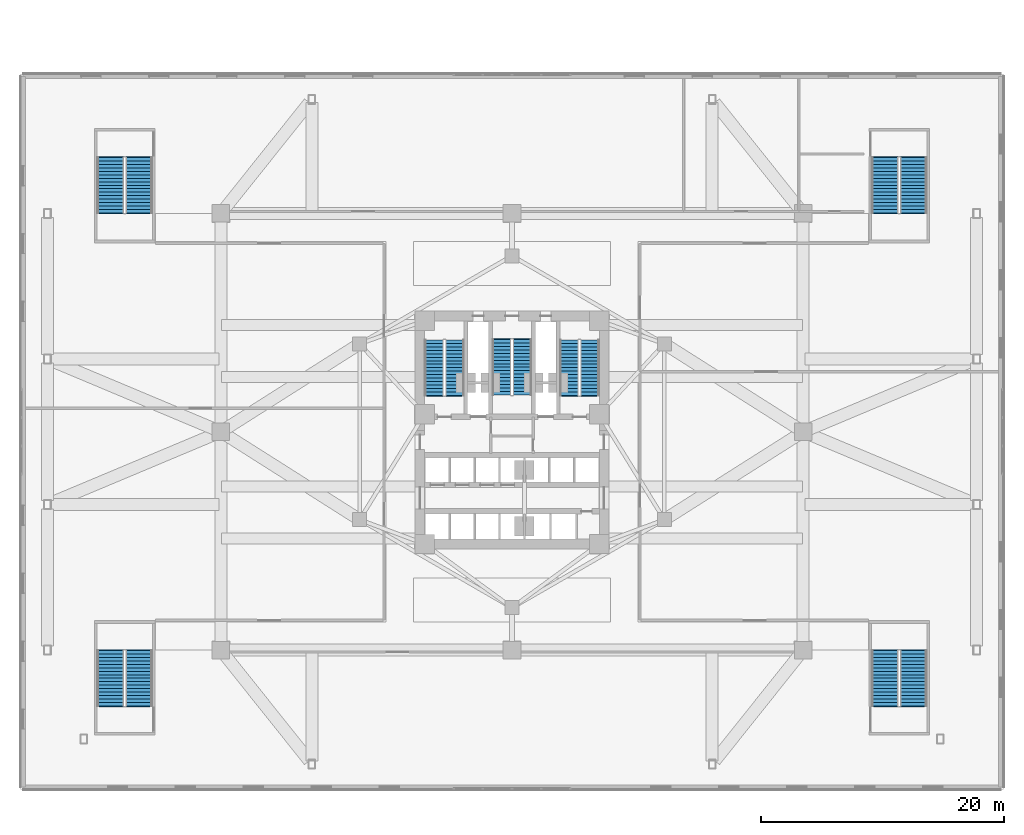
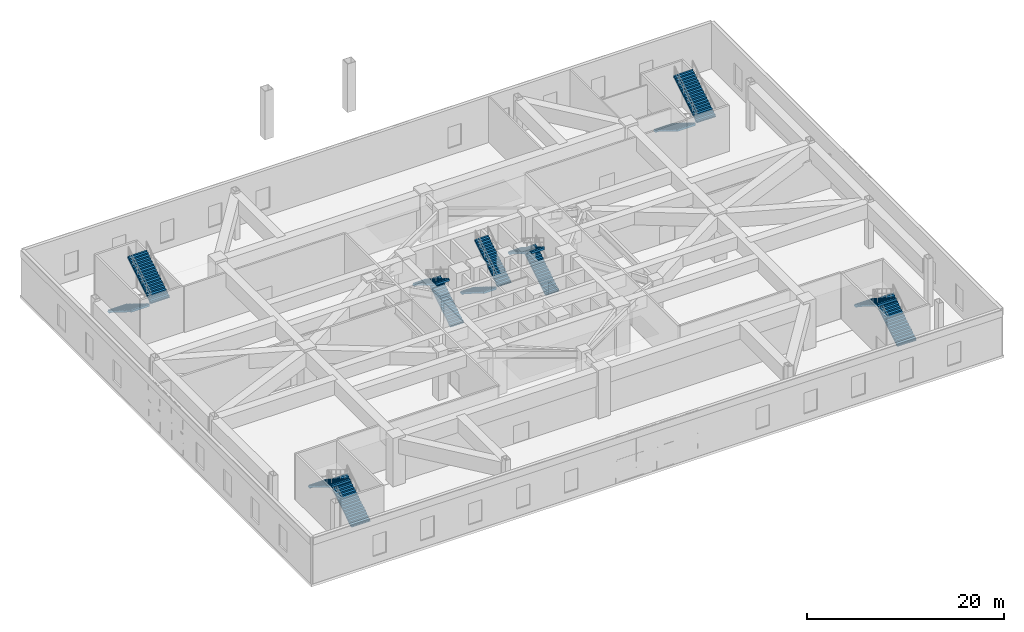
# One storey, part 16 of 24: 14 stair flights, 7 elements without a shape of their own.
"""IFC4 building model written with IfcOpenShell, lengths in metres."""

import ifcopenshell
import ifcopenshell.guid

model = None  # the IFC model being written
_history = None  # IfcOwnerHistory: only IFC2X3 demands one
_inside = {}  # id of a spatial element -> (the spatial element, [elements in it])
_under = {}  # id of a project, library or spatial element -> (it, [spatial elements below it])
_declared = {}  # id of a project -> (the project, [libraries it declares])
_typed = {}  # id of a type object -> (the type object, [elements of that type])
_made_of = {}  # id of a material, layer set ... -> (it, [elements and type objects made of it])


def new_model(schema):
    """Start an empty IFC model of exactly this schema.

    Asked for "IFC4X3", IfcOpenShell would pick the latest addendum, in which some entities
    have other attributes; the version numbers below select the first issue.
    IFC2X3 requires an IfcOwnerHistory on every rooted entity: one is made here for all.
    """
    global model, _history
    if schema == "IFC4X3":
        model = ifcopenshell.file(schema_version=(4, 3, 0, 0))
    else:
        model = ifcopenshell.file(schema=schema)
    _inside.clear()
    _under.clear()
    _declared.clear()
    _typed.clear()
    _made_of.clear()
    _history = None
    if model.schema == "IFC2X3":
        org = make("IfcOrganization", Name="unknown")
        user = make(
            "IfcPersonAndOrganization",
            ThePerson=make("IfcPerson", FamilyName="unknown"),
            TheOrganization=org,
        )
        app = make(
            "IfcApplication",
            ApplicationDeveloper=org,
            Version="unknown",
            ApplicationFullName="unknown",
            ApplicationIdentifier="unknown",
        )
        _history = make(
            "IfcOwnerHistory",
            OwningUser=user,
            OwningApplication=app,
            ChangeAction="ADDED",
            CreationDate=0,
        )
    return model


def make(cls, **values):
    """One entity of the class cls with the attributes given. An attribute that is None is left unset."""
    return model.create_entity(
        cls, **{name: value for name, value in values.items() if value is not None}
    )


def rooted(cls, **values):
    """An entity with a GlobalId (a new one), such as an element, a storey or a relation."""
    return make(cls, GlobalId=ifcopenshell.guid.new(), OwnerHistory=_history, **values)


def si_unit(unit_type, name, prefix=None):
    """IfcSIUnit, for example si_unit("LENGTHUNIT", "METRE", prefix="MILLI")."""
    return make("IfcSIUnit", UnitType=unit_type, Prefix=prefix, Name=name)


def assignment(units):
    """IfcUnitAssignment: the units of a project."""
    return None if units is None else make("IfcUnitAssignment", Units=units)


def point(xyz):
    """IfcCartesianPoint."""
    return None if xyz is None else make("IfcCartesianPoint", Coordinates=xyz)


def direction(xyz):
    """IfcDirection."""
    return None if xyz is None else make("IfcDirection", DirectionRatios=xyz)


def frame(location, z_axis=None, x_axis=None):
    """IfcAxis2Placement3D, a coordinate frame: its origin and axes. An axis left out is left unset."""
    return make(
        "IfcAxis2Placement3D",
        Location=point(location),
        Axis=direction(z_axis),
        RefDirection=direction(x_axis),
    )


def origin():
    """The frame at (0, 0, 0) with its axes left unset."""
    return frame((0.0, 0.0, 0.0))


def place(relative_to, where):
    """IfcLocalPlacement: puts the frame where relative to a parent placement (None: the world)."""
    return make(
        "IfcLocalPlacement", PlacementRelTo=relative_to, RelativePlacement=where
    )


def context(
    kind, dimensions, precision=None, world=None, true_north=None, identifier=None
):
    """IfcGeometricRepresentationContext, for example the 3D "Model" context."""
    return make(
        "IfcGeometricRepresentationContext",
        ContextIdentifier=identifier,
        ContextType=kind,
        CoordinateSpaceDimension=dimensions,
        Precision=precision,
        WorldCoordinateSystem=world,
        TrueNorth=true_north,
    )


def subcontext(parent, identifier, kind, view, scale=None):
    """IfcGeometricRepresentationSubContext, for example "Body" below "Model"."""
    return make(
        "IfcGeometricRepresentationSubContext",
        ContextIdentifier=identifier,
        ContextType=kind,
        ParentContext=parent,
        TargetScale=scale,
        TargetView=view,
    )


def project(units=None, contexts=None):
    """IfcProject with its units and contexts."""
    return rooted(
        "IfcProject",
        Name="project",
        RepresentationContexts=contexts,
        UnitsInContext=assignment(units),
    )


def spatial(cls, under=None, at=None, **own):
    """A site, building, storey or space (cls), placed at a placement, below another one or the project."""
    s = rooted(cls, ObjectPlacement=at, **own)
    if under is not None:
        _under.setdefault(under.id(), (under, []))[1].append(s)
    return s


def polyline(points):
    """IfcPolyline through the points."""
    return make("IfcPolyline", Points=[point(p) for p in points])


def outline(outer, holes=None, kind="AREA"):
    """IfcArbitraryClosedProfileDef: a profile drawn as a closed curve; with holes, ...WithVoids."""
    if holes is None:
        return make("IfcArbitraryClosedProfileDef", ProfileType=kind, OuterCurve=outer)
    return make(
        "IfcArbitraryProfileDefWithVoids",
        ProfileType=kind,
        OuterCurve=outer,
        InnerCurves=holes,
    )


def extrude(swept, where, along, depth):
    """IfcExtrudedAreaSolid: the profile swept, set in the frame where, extruded along a direction by depth."""
    return make(
        "IfcExtrudedAreaSolid",
        SweptArea=swept,
        Position=where,
        ExtrudedDirection=direction(along),
        Depth=depth,
    )


def shape(context_of_items, identifier, shape_type, items):
    """IfcShapeRepresentation: the items that make up one representation, for example the "Body"."""
    return make(
        "IfcShapeRepresentation",
        ContextOfItems=context_of_items,
        RepresentationIdentifier=identifier,
        RepresentationType=shape_type,
        Items=items,
    )


def material(Name=None, Category=None):
    """IfcMaterial."""
    return make("IfcMaterial", Name=Name, Category=Category)


def made_of(thing, what):
    """Note that an element or type object is made of a material, layer set ...; save() writes the relation."""
    if what is not None:
        _made_of.setdefault(what.id(), (what, []))[1].append(thing)
    return thing


def type_object(cls, material=None, **own):
    """A type object (cls), such as IfcWallType, which elements share."""
    return made_of(rooted(cls, **own), material)


def element(
    cls,
    number,
    at=None,
    inside=None,
    cuts=None,
    type_object=None,
    material=None,
    context=None,
    identifier="Body",
    shape_type=None,
    held_by="IfcProductDefinitionShape",
    body=None,
    shapes=None,
    **own,
):
    """One element of the class cls, such as IfcWall. Its Tag is "e" and its number.

    at: its placement. inside: the storey or other place that contains it. cuts: it is an
    opening in that element (IfcRelVoidsElement). A single representation is given by context,
    identifier, shape_type and body (its items); several are given by shapes. held_by: the class
    of the entity that holds the representations. save() writes the other relations.
    """
    e = rooted(cls, Tag="e%d" % number, ObjectPlacement=at, **own)
    if body is not None:
        shapes = [shape(context, identifier, shape_type, body)]
    if shapes is not None:
        e.Representation = make(held_by, Representations=shapes)
    if inside is not None:
        _inside.setdefault(inside.id(), (inside, []))[1].append(e)
    if cuts is not None:
        rooted(
            "IfcRelVoidsElement", RelatingBuildingElement=cuts, RelatedOpeningElement=e
        )
    if type_object is not None:
        _typed.setdefault(type_object.id(), (type_object, []))[1].append(e)
    return made_of(e, material)


def aggregate(whole, parts):
    """IfcRelAggregates: a whole, such as a stair, and the parts it consists of."""
    return rooted("IfcRelAggregates", RelatingObject=whole, RelatedObjects=parts)


def save(model, path):
    """Write the relations noted so far, then the file.

    IfcRelAggregates (storeys below a building ...), IfcRelContainedInSpatialStructure (elements
    in a storey), IfcRelDefinesByType, IfcRelAssociatesMaterial and IfcRelDeclares: one each for
    every whole, place, type object, material and project.
    """
    for whole, parts in _under.values():
        aggregate(whole, parts)
    for where, things in _inside.values():
        rooted(
            "IfcRelContainedInSpatialStructure",
            RelatedElements=things,
            RelatingStructure=where,
        )
    for kind, things in _typed.values():
        rooted("IfcRelDefinesByType", RelatedObjects=things, RelatingType=kind)
    for what, things in _made_of.values():
        rooted("IfcRelAssociatesMaterial", RelatedObjects=things, RelatingMaterial=what)
    for by, libraries in _declared.values():
        rooted("IfcRelDeclares", RelatingContext=by, RelatedDefinitions=libraries)
    model.write(path)


model = new_model("IFC4")

# Units and contexts
model_context = context("Model", 3, precision=1e-05, world=origin(), true_north=direction((0.0, 1.0)))
body_context = subcontext(model_context, "Body", "Model", "MODEL_VIEW")
ifc_project = project(units=[si_unit("LENGTHUNIT", "METRE"), si_unit("AREAUNIT", "SQUARE_METRE"), si_unit("VOLUMEUNIT", "CUBIC_METRE"), si_unit("PLANEANGLEUNIT", "RADIAN"), si_unit("MASSUNIT", "GRAM", prefix="KILO")], contexts=[model_context])

# Site, building, storey
site_placement = place(None, origin())
site = spatial("IfcSite", under=ifc_project, at=site_placement, CompositionType="ELEMENT")
building_placement = place(site_placement, origin())
building = spatial("IfcBuilding", under=site, at=building_placement, Name="Apsidion Concourse Tower", CompositionType="ELEMENT")
storey_placement = place(building_placement, frame((0.0, 0.0, 17.5)))
storey = spatial("IfcBuildingStorey", under=building, at=storey_placement, Name="L03", CompositionType="ELEMENT", Elevation=17.5)

# Stair, stair flights
ifc_material = material(Name="Precast concrete C40/50", Category="concrete")
stair_type_1 = type_object("IfcStairType", Name="ST-DL-1550", PredefinedType="HALF_TURN_STAIR", material=ifc_material)
stair_1_placement = place(storey_placement, origin())
stair_1 = element("IfcStair", 1, at=stair_1_placement, inside=storey, type_object=stair_type_1, Name="L03 Protected Core Exit Stair ST1", PredefinedType="HALF_TURN_STAIR")
stair_flight_type_1 = type_object("IfcStairFlightType", Name="SFL-RC-1550", PredefinedType="STRAIGHT", material=ifc_material)
stair_flight_1_placement = place(storey_placement, frame((-4.72509765625, 3.0, 0.0), z_axis=(0.0, 0.0, 1.0), x_axis=(0.0, 1.0, 0.0)))
stair_flight_1 = element("IfcStairFlight", 2, at=stair_flight_1_placement, type_object=stair_flight_type_1, Name="ST1 flight 1", NumberOfRisers=17, NumberOfTreads=16, PredefinedType="STRAIGHT", RiserHeight=0.176470588, TreadLength=0.285, context=body_context, shape_type="SweptSolid", body=[
    extrude(outline(polyline([(-0.080078125, -0.1123046875), (-0.080078125, 0.0), (0.0, 0.0), (0.0, 0.176513671875), (0.284912109375, 0.176513671875), (0.284912109375, 0.35302734375), (0.570068359375, 0.35302734375), (0.570068359375, 0.529296875), (0.85498046875, 0.529296875), (0.85498046875, 0.705810546875), (1.139892578125, 0.705810546875), (1.139892578125, 0.88232421875), (1.425048828125, 0.88232421875), (1.425048828125, 1.058837890625), (1.7099609375, 1.058837890625), (1.7099609375, 1.2353515625), (1.9951171875, 1.2353515625), (1.9951171875, 1.411865234375), (2.280029296875, 1.411865234375), (2.280029296875, 1.588134765625), (2.56494140625, 1.588134765625), (2.56494140625, 1.7646484375), (2.85009765625, 1.7646484375), (2.85009765625, 1.941162109375), (3.135009765625, 1.941162109375), (3.135009765625, 2.11767578125), (3.419921875, 2.11767578125), (3.419921875, 2.294189453125), (3.705078125, 2.294189453125), (3.705078125, 2.470703125), (3.989990234375, 2.470703125), (3.989990234375, 2.64697265625), (4.27490234375, 2.64697265625), (4.27490234375, 2.823486328125), (4.56005859375, 2.823486328125), (4.56005859375, 3.0), (4.64013671875, 2.911865234375), (4.64013671875, 2.647216796875), (4.56005859375, 2.647216796875), (0.28466796875, 0.0), (0.28466796875, -0.1123046875), (-0.080078125, -0.1123046875)])), frame((0.0, 0.77490234375, 0.0), z_axis=(0.0, -1.0, 0.0), x_axis=(1.0, 0.0, 0.0)), (0.0, 0.0, 1.0), 1.550048828125),
])
stair_flight_2_placement = place(storey_placement, frame((-6.425048828125, 7.56005859375, 3.0), z_axis=(0.0, 0.0, 1.0), x_axis=(0.0, -1.0, 0.0)))
stair_flight_2 = element("IfcStairFlight", 3, at=stair_flight_2_placement, type_object=stair_flight_type_1, Name="ST1 flight 2", NumberOfRisers=17, NumberOfTreads=16, PredefinedType="STRAIGHT", RiserHeight=0.176470588, TreadLength=0.285, context=body_context, shape_type="SweptSolid", body=[
    extrude(outline(polyline([(-0.080078125, -0.1123046875), (-0.080078125, 0.0), (0.0, 0.0), (0.0, 0.176513671875), (0.284912109375, 0.176513671875), (0.284912109375, 0.35302734375), (0.570068359375, 0.35302734375), (0.570068359375, 0.529296875), (0.85498046875, 0.529296875), (0.85498046875, 0.705810546875), (1.139892578125, 0.705810546875), (1.139892578125, 0.88232421875), (1.425048828125, 0.88232421875), (1.425048828125, 1.058837890625), (1.7099609375, 1.058837890625), (1.7099609375, 1.2353515625), (1.9951171875, 1.2353515625), (1.9951171875, 1.411865234375), (2.280029296875, 1.411865234375), (2.280029296875, 1.588134765625), (2.56494140625, 1.588134765625), (2.56494140625, 1.7646484375), (2.85009765625, 1.7646484375), (2.85009765625, 1.941162109375), (3.135009765625, 1.941162109375), (3.135009765625, 2.11767578125), (3.419921875, 2.11767578125), (3.419921875, 2.294189453125), (3.705078125, 2.294189453125), (3.705078125, 2.470703125), (3.989990234375, 2.470703125), (3.989990234375, 2.64697265625), (4.27490234375, 2.64697265625), (4.27490234375, 2.823486328125), (4.56005859375, 2.823486328125), (4.56005859375, 3.0), (4.64013671875, 2.911865234375), (4.64013671875, 2.647216796875), (4.56005859375, 2.647216796875), (0.28466796875, 0.0), (0.28466796875, -0.1123046875), (-0.080078125, -0.1123046875)])), frame((0.0, 0.77490234375, 0.0), z_axis=(0.0, -1.0, 0.0), x_axis=(1.0, 0.0, 0.0)), (0.0, 0.0, 1.0), 1.550048828125),
])
aggregate(stair_1, [stair_flight_1, stair_flight_2])

stair_2_placement = place(storey_placement, origin())
stair_2 = element("IfcStair", 4, at=stair_2_placement, inside=storey, type_object=stair_type_1, Name="L03 Protected Core Exit Stair ST2", PredefinedType="HALF_TURN_STAIR")
stair_flight_3_placement = place(storey_placement, frame((6.425048828125, 3.0, 0.0), z_axis=(0.0, 0.0, 1.0), x_axis=(0.0, 1.0, 0.0)))
stair_flight_3 = element("IfcStairFlight", 5, at=stair_flight_3_placement, type_object=stair_flight_type_1, Name="ST2 flight 1", NumberOfRisers=17, NumberOfTreads=16, PredefinedType="STRAIGHT", RiserHeight=0.176470588, TreadLength=0.285, context=body_context, shape_type="SweptSolid", body=[
    extrude(outline(polyline([(-0.080078125, -0.1123046875), (-0.080078125, 0.0), (0.0, 0.0), (0.0, 0.176513671875), (0.284912109375, 0.176513671875), (0.284912109375, 0.35302734375), (0.570068359375, 0.35302734375), (0.570068359375, 0.529296875), (0.85498046875, 0.529296875), (0.85498046875, 0.705810546875), (1.139892578125, 0.705810546875), (1.139892578125, 0.88232421875), (1.425048828125, 0.88232421875), (1.425048828125, 1.058837890625), (1.7099609375, 1.058837890625), (1.7099609375, 1.2353515625), (1.9951171875, 1.2353515625), (1.9951171875, 1.411865234375), (2.280029296875, 1.411865234375), (2.280029296875, 1.588134765625), (2.56494140625, 1.588134765625), (2.56494140625, 1.7646484375), (2.85009765625, 1.7646484375), (2.85009765625, 1.941162109375), (3.135009765625, 1.941162109375), (3.135009765625, 2.11767578125), (3.419921875, 2.11767578125), (3.419921875, 2.294189453125), (3.705078125, 2.294189453125), (3.705078125, 2.470703125), (3.989990234375, 2.470703125), (3.989990234375, 2.64697265625), (4.27490234375, 2.64697265625), (4.27490234375, 2.823486328125), (4.56005859375, 2.823486328125), (4.56005859375, 3.0), (4.64013671875, 2.911865234375), (4.64013671875, 2.647216796875), (4.56005859375, 2.647216796875), (0.28466796875, 0.0), (0.28466796875, -0.1123046875), (-0.080078125, -0.1123046875)])), frame((0.0, 0.77490234375, 0.0), z_axis=(0.0, -1.0, 0.0), x_axis=(1.0, 0.0, 0.0)), (0.0, 0.0, 1.0), 1.550048828125),
])
stair_flight_4_placement = place(storey_placement, frame((4.72509765625, 7.56005859375, 3.0), z_axis=(0.0, 0.0, 1.0), x_axis=(0.0, -1.0, 0.0)))
stair_flight_4 = element("IfcStairFlight", 6, at=stair_flight_4_placement, type_object=stair_flight_type_1, Name="ST2 flight 2", NumberOfRisers=17, NumberOfTreads=16, PredefinedType="STRAIGHT", RiserHeight=0.176470588, TreadLength=0.285, context=body_context, shape_type="SweptSolid", body=[
    extrude(outline(polyline([(-0.080078125, -0.1123046875), (-0.080078125, 0.0), (0.0, 0.0), (0.0, 0.176513671875), (0.284912109375, 0.176513671875), (0.284912109375, 0.35302734375), (0.570068359375, 0.35302734375), (0.570068359375, 0.529296875), (0.85498046875, 0.529296875), (0.85498046875, 0.705810546875), (1.139892578125, 0.705810546875), (1.139892578125, 0.88232421875), (1.425048828125, 0.88232421875), (1.425048828125, 1.058837890625), (1.7099609375, 1.058837890625), (1.7099609375, 1.2353515625), (1.9951171875, 1.2353515625), (1.9951171875, 1.411865234375), (2.280029296875, 1.411865234375), (2.280029296875, 1.588134765625), (2.56494140625, 1.588134765625), (2.56494140625, 1.7646484375), (2.85009765625, 1.7646484375), (2.85009765625, 1.941162109375), (3.135009765625, 1.941162109375), (3.135009765625, 2.11767578125), (3.419921875, 2.11767578125), (3.419921875, 2.294189453125), (3.705078125, 2.294189453125), (3.705078125, 2.470703125), (3.989990234375, 2.470703125), (3.989990234375, 2.64697265625), (4.27490234375, 2.64697265625), (4.27490234375, 2.823486328125), (4.56005859375, 2.823486328125), (4.56005859375, 3.0), (4.64013671875, 2.911865234375), (4.64013671875, 2.647216796875), (4.56005859375, 2.647216796875), (0.28466796875, 0.0), (0.28466796875, -0.1123046875), (-0.080078125, -0.1123046875)])), frame((0.0, 0.77490234375, 0.0), z_axis=(0.0, -1.0, 0.0), x_axis=(1.0, 0.0, 0.0)), (0.0, 0.0, 1.0), 1.550048828125),
])
aggregate(stair_2, [stair_flight_3, stair_flight_4])

stair_3_placement = place(storey_placement, origin())
stair_3 = element("IfcStair", 7, at=stair_3_placement, inside=storey, type_object=stair_type_1, Name="L03 Protected Core Exit Stair ST3", PredefinedType="HALF_TURN_STAIR")
stair_flight_5_placement = place(storey_placement, frame((-0.85009765625, 7.60009765625, 0.0), z_axis=(0.0, 0.0, 1.0), x_axis=(0.0, -1.0, 0.0)))
stair_flight_5 = element("IfcStairFlight", 8, at=stair_flight_5_placement, type_object=stair_flight_type_1, Name="ST3 flight 1", NumberOfRisers=17, NumberOfTreads=16, PredefinedType="STRAIGHT", RiserHeight=0.176470588, TreadLength=0.285, context=body_context, shape_type="SweptSolid", body=[
    extrude(outline(polyline([(-0.080078125, -0.1123046875), (-0.080078125, 0.0), (0.0, 0.0), (0.0, 0.176513671875), (0.284912109375, 0.176513671875), (0.284912109375, 0.35302734375), (0.570068359375, 0.35302734375), (0.570068359375, 0.529296875), (0.85498046875, 0.529296875), (0.85498046875, 0.705810546875), (1.139892578125, 0.705810546875), (1.139892578125, 0.88232421875), (1.425048828125, 0.88232421875), (1.425048828125, 1.058837890625), (1.7099609375, 1.058837890625), (1.7099609375, 1.2353515625), (1.9951171875, 1.2353515625), (1.9951171875, 1.411865234375), (2.280029296875, 1.411865234375), (2.280029296875, 1.588134765625), (2.56494140625, 1.588134765625), (2.56494140625, 1.7646484375), (2.85009765625, 1.7646484375), (2.85009765625, 1.941162109375), (3.135009765625, 1.941162109375), (3.135009765625, 2.11767578125), (3.419921875, 2.11767578125), (3.419921875, 2.294189453125), (3.705078125, 2.294189453125), (3.705078125, 2.470703125), (3.989990234375, 2.470703125), (3.989990234375, 2.64697265625), (4.27490234375, 2.64697265625), (4.27490234375, 2.823486328125), (4.56005859375, 2.823486328125), (4.56005859375, 3.0), (4.64013671875, 2.911865234375), (4.64013671875, 2.647216796875), (4.56005859375, 2.647216796875), (0.28466796875, 0.0), (0.28466796875, -0.1123046875), (-0.080078125, -0.1123046875)])), frame((0.0, 0.77490234375, 0.0), z_axis=(0.0, -1.0, 0.0), x_axis=(1.0, 0.0, 0.0)), (0.0, 0.0, 1.0), 1.550048828125),
])
stair_flight_6_placement = place(storey_placement, frame((0.85009765625, 3.0400390625, 3.0), z_axis=(0.0, 0.0, 1.0), x_axis=(0.0, 1.0, 0.0)))
stair_flight_6 = element("IfcStairFlight", 9, at=stair_flight_6_placement, type_object=stair_flight_type_1, Name="ST3 flight 2", NumberOfRisers=17, NumberOfTreads=16, PredefinedType="STRAIGHT", RiserHeight=0.176470588, TreadLength=0.285, context=body_context, shape_type="SweptSolid", body=[
    extrude(outline(polyline([(-0.080078125, -0.1123046875), (-0.080078125, 0.0), (0.0, 0.0), (0.0, 0.176513671875), (0.284912109375, 0.176513671875), (0.284912109375, 0.35302734375), (0.570068359375, 0.35302734375), (0.570068359375, 0.529296875), (0.85498046875, 0.529296875), (0.85498046875, 0.705810546875), (1.139892578125, 0.705810546875), (1.139892578125, 0.88232421875), (1.425048828125, 0.88232421875), (1.425048828125, 1.058837890625), (1.7099609375, 1.058837890625), (1.7099609375, 1.2353515625), (1.9951171875, 1.2353515625), (1.9951171875, 1.411865234375), (2.280029296875, 1.411865234375), (2.280029296875, 1.588134765625), (2.56494140625, 1.588134765625), (2.56494140625, 1.7646484375), (2.85009765625, 1.7646484375), (2.85009765625, 1.941162109375), (3.135009765625, 1.941162109375), (3.135009765625, 2.11767578125), (3.419921875, 2.11767578125), (3.419921875, 2.294189453125), (3.705078125, 2.294189453125), (3.705078125, 2.470703125), (3.989990234375, 2.470703125), (3.989990234375, 2.64697265625), (4.27490234375, 2.64697265625), (4.27490234375, 2.823486328125), (4.56005859375, 2.823486328125), (4.56005859375, 3.0), (4.64013671875, 2.911865234375), (4.64013671875, 2.647216796875), (4.56005859375, 2.647216796875), (0.28466796875, 0.0), (0.28466796875, -0.1123046875), (-0.080078125, -0.1123046875)])), frame((0.0, 0.77490234375, 0.0), z_axis=(0.0, -1.0, 0.0), x_axis=(1.0, 0.0, 0.0)), (0.0, 0.0, 1.0), 1.550048828125),
])
aggregate(stair_3, [stair_flight_5, stair_flight_6])

stair_type_2 = type_object("IfcStairType", Name="ST-DL-2200", PredefinedType="HALF_TURN_STAIR", material=ifc_material)
stair_4_placement = place(storey_placement, origin())
stair_4 = element("IfcStair", 10, at=stair_4_placement, inside=storey, type_object=stair_type_2, Name="L03 Podium Convention Exit Stair ST-P1", PredefinedType="HALF_TURN_STAIR")
stair_flight_type_2 = type_object("IfcStairFlightType", Name="SFL-RC-2200", PredefinedType="STRAIGHT", material=ifc_material)
stair_flight_7_placement = place(storey_placement, frame((-30.75, -22.60009765625, 0.0), z_axis=(0.0, 0.0, 1.0), x_axis=(0.0, 1.0, 0.0)))
stair_flight_7 = element("IfcStairFlight", 11, at=stair_flight_7_placement, type_object=stair_flight_type_2, Name="ST-P1 flight 1", NumberOfRisers=17, NumberOfTreads=16, PredefinedType="STRAIGHT", RiserHeight=0.176470588, TreadLength=0.285, context=body_context, shape_type="SweptSolid", body=[
    extrude(outline(polyline([(-0.080078125, -0.1123046875), (-0.080078125, 0.0), (0.0, 0.0), (0.0, 0.176513671875), (0.284912109375, 0.176513671875), (0.284912109375, 0.35302734375), (0.570068359375, 0.35302734375), (0.570068359375, 0.529296875), (0.85498046875, 0.529296875), (0.85498046875, 0.705810546875), (1.139892578125, 0.705810546875), (1.139892578125, 0.88232421875), (1.425048828125, 0.88232421875), (1.425048828125, 1.058837890625), (1.7099609375, 1.058837890625), (1.7099609375, 1.2353515625), (1.9951171875, 1.2353515625), (1.9951171875, 1.411865234375), (2.280029296875, 1.411865234375), (2.280029296875, 1.588134765625), (2.56494140625, 1.588134765625), (2.56494140625, 1.7646484375), (2.85009765625, 1.7646484375), (2.85009765625, 1.941162109375), (3.135009765625, 1.941162109375), (3.135009765625, 2.11767578125), (3.419921875, 2.11767578125), (3.419921875, 2.294189453125), (3.705078125, 2.294189453125), (3.705078125, 2.470703125), (3.989990234375, 2.470703125), (3.989990234375, 2.64697265625), (4.27490234375, 2.64697265625), (4.27490234375, 2.823486328125), (4.56005859375, 2.823486328125), (4.56005859375, 3.0), (4.64013671875, 2.911865234375), (4.64013671875, 2.647216796875), (4.56005859375, 2.647216796875), (0.28466796875, 0.0), (0.28466796875, -0.1123046875), (-0.080078125, -0.1123046875)])), frame((0.0, 1.10009765625, 0.0), z_axis=(0.0, -1.0, 0.0), x_axis=(1.0, 0.0, 0.0)), (0.0, 0.0, 1.0), 2.199951171875),
])
stair_flight_8_placement = place(storey_placement, frame((-33.10009765625, -18.0400390625, 3.0), z_axis=(0.0, 0.0, 1.0), x_axis=(0.0, -1.0, 0.0)))
stair_flight_8 = element("IfcStairFlight", 12, at=stair_flight_8_placement, type_object=stair_flight_type_2, Name="ST-P1 flight 2", NumberOfRisers=17, NumberOfTreads=16, PredefinedType="STRAIGHT", RiserHeight=0.176470588, TreadLength=0.285, context=body_context, shape_type="SweptSolid", body=[
    extrude(outline(polyline([(-0.080078125, -0.1123046875), (-0.080078125, 0.0), (0.0, 0.0), (0.0, 0.176513671875), (0.284912109375, 0.176513671875), (0.284912109375, 0.35302734375), (0.570068359375, 0.35302734375), (0.570068359375, 0.529296875), (0.85498046875, 0.529296875), (0.85498046875, 0.705810546875), (1.139892578125, 0.705810546875), (1.139892578125, 0.88232421875), (1.425048828125, 0.88232421875), (1.425048828125, 1.058837890625), (1.7099609375, 1.058837890625), (1.7099609375, 1.2353515625), (1.9951171875, 1.2353515625), (1.9951171875, 1.411865234375), (2.280029296875, 1.411865234375), (2.280029296875, 1.588134765625), (2.56494140625, 1.588134765625), (2.56494140625, 1.7646484375), (2.85009765625, 1.7646484375), (2.85009765625, 1.941162109375), (3.135009765625, 1.941162109375), (3.135009765625, 2.11767578125), (3.419921875, 2.11767578125), (3.419921875, 2.294189453125), (3.705078125, 2.294189453125), (3.705078125, 2.470703125), (3.989990234375, 2.470703125), (3.989990234375, 2.64697265625), (4.27490234375, 2.64697265625), (4.27490234375, 2.823486328125), (4.56005859375, 2.823486328125), (4.56005859375, 3.0), (4.64013671875, 2.911865234375), (4.64013671875, 2.647216796875), (4.56005859375, 2.647216796875), (0.28466796875, 0.0), (0.28466796875, -0.1123046875), (-0.080078125, -0.1123046875)])), frame((0.0, 1.10009765625, 0.0), z_axis=(0.0, -1.0, 0.0), x_axis=(1.0, 0.0, 0.0)), (0.0, 0.0, 1.0), 2.199951171875),
])
aggregate(stair_4, [stair_flight_7, stair_flight_8])

stair_5_placement = place(storey_placement, origin())
stair_5 = element("IfcStair", 13, at=stair_5_placement, inside=storey, type_object=stair_type_2, Name="L03 Podium Convention Exit Stair ST-P2", PredefinedType="HALF_TURN_STAIR")
stair_flight_9_placement = place(storey_placement, frame((33.10009765625, -22.60009765625, 0.0), z_axis=(0.0, 0.0, 1.0), x_axis=(0.0, 1.0, 0.0)))
stair_flight_9 = element("IfcStairFlight", 14, at=stair_flight_9_placement, type_object=stair_flight_type_2, Name="ST-P2 flight 1", NumberOfRisers=17, NumberOfTreads=16, PredefinedType="STRAIGHT", RiserHeight=0.176470588, TreadLength=0.285, context=body_context, shape_type="SweptSolid", body=[
    extrude(outline(polyline([(-0.080078125, -0.1123046875), (-0.080078125, 0.0), (0.0, 0.0), (0.0, 0.176513671875), (0.284912109375, 0.176513671875), (0.284912109375, 0.35302734375), (0.570068359375, 0.35302734375), (0.570068359375, 0.529296875), (0.85498046875, 0.529296875), (0.85498046875, 0.705810546875), (1.139892578125, 0.705810546875), (1.139892578125, 0.88232421875), (1.425048828125, 0.88232421875), (1.425048828125, 1.058837890625), (1.7099609375, 1.058837890625), (1.7099609375, 1.2353515625), (1.9951171875, 1.2353515625), (1.9951171875, 1.411865234375), (2.280029296875, 1.411865234375), (2.280029296875, 1.588134765625), (2.56494140625, 1.588134765625), (2.56494140625, 1.7646484375), (2.85009765625, 1.7646484375), (2.85009765625, 1.941162109375), (3.135009765625, 1.941162109375), (3.135009765625, 2.11767578125), (3.419921875, 2.11767578125), (3.419921875, 2.294189453125), (3.705078125, 2.294189453125), (3.705078125, 2.470703125), (3.989990234375, 2.470703125), (3.989990234375, 2.64697265625), (4.27490234375, 2.64697265625), (4.27490234375, 2.823486328125), (4.56005859375, 2.823486328125), (4.56005859375, 3.0), (4.64013671875, 2.911865234375), (4.64013671875, 2.647216796875), (4.56005859375, 2.647216796875), (0.28466796875, 0.0), (0.28466796875, -0.1123046875), (-0.080078125, -0.1123046875)])), frame((0.0, 1.10009765625, 0.0), z_axis=(0.0, -1.0, 0.0), x_axis=(1.0, 0.0, 0.0)), (0.0, 0.0, 1.0), 2.199951171875),
])
stair_flight_10_placement = place(storey_placement, frame((30.75, -18.0400390625, 3.0), z_axis=(0.0, 0.0, 1.0), x_axis=(0.0, -1.0, 0.0)))
stair_flight_10 = element("IfcStairFlight", 15, at=stair_flight_10_placement, type_object=stair_flight_type_2, Name="ST-P2 flight 2", NumberOfRisers=17, NumberOfTreads=16, PredefinedType="STRAIGHT", RiserHeight=0.176470588, TreadLength=0.285, context=body_context, shape_type="SweptSolid", body=[
    extrude(outline(polyline([(-0.080078125, -0.1123046875), (-0.080078125, 0.0), (0.0, 0.0), (0.0, 0.176513671875), (0.284912109375, 0.176513671875), (0.284912109375, 0.35302734375), (0.570068359375, 0.35302734375), (0.570068359375, 0.529296875), (0.85498046875, 0.529296875), (0.85498046875, 0.705810546875), (1.139892578125, 0.705810546875), (1.139892578125, 0.88232421875), (1.425048828125, 0.88232421875), (1.425048828125, 1.058837890625), (1.7099609375, 1.058837890625), (1.7099609375, 1.2353515625), (1.9951171875, 1.2353515625), (1.9951171875, 1.411865234375), (2.280029296875, 1.411865234375), (2.280029296875, 1.588134765625), (2.56494140625, 1.588134765625), (2.56494140625, 1.7646484375), (2.85009765625, 1.7646484375), (2.85009765625, 1.941162109375), (3.135009765625, 1.941162109375), (3.135009765625, 2.11767578125), (3.419921875, 2.11767578125), (3.419921875, 2.294189453125), (3.705078125, 2.294189453125), (3.705078125, 2.470703125), (3.989990234375, 2.470703125), (3.989990234375, 2.64697265625), (4.27490234375, 2.64697265625), (4.27490234375, 2.823486328125), (4.56005859375, 2.823486328125), (4.56005859375, 3.0), (4.64013671875, 2.911865234375), (4.64013671875, 2.647216796875), (4.56005859375, 2.647216796875), (0.28466796875, 0.0), (0.28466796875, -0.1123046875), (-0.080078125, -0.1123046875)])), frame((0.0, 1.10009765625, 0.0), z_axis=(0.0, -1.0, 0.0), x_axis=(1.0, 0.0, 0.0)), (0.0, 0.0, 1.0), 2.199951171875),
])
aggregate(stair_5, [stair_flight_9, stair_flight_10])

stair_6_placement = place(storey_placement, origin())
stair_6 = element("IfcStair", 16, at=stair_6_placement, inside=storey, type_object=stair_type_2, Name="L03 Podium Convention Exit Stair ST-P3", PredefinedType="HALF_TURN_STAIR")
stair_flight_11_placement = place(storey_placement, frame((-33.10009765625, 22.60009765625, 0.0), z_axis=(0.0, 0.0, 1.0), x_axis=(0.0, -1.0, 0.0)))
stair_flight_11 = element("IfcStairFlight", 17, at=stair_flight_11_placement, type_object=stair_flight_type_2, Name="ST-P3 flight 1", NumberOfRisers=17, NumberOfTreads=16, PredefinedType="STRAIGHT", RiserHeight=0.176470588, TreadLength=0.285, context=body_context, shape_type="SweptSolid", body=[
    extrude(outline(polyline([(-0.080078125, -0.1123046875), (-0.080078125, 0.0), (0.0, 0.0), (0.0, 0.176513671875), (0.284912109375, 0.176513671875), (0.284912109375, 0.35302734375), (0.570068359375, 0.35302734375), (0.570068359375, 0.529296875), (0.85498046875, 0.529296875), (0.85498046875, 0.705810546875), (1.139892578125, 0.705810546875), (1.139892578125, 0.88232421875), (1.425048828125, 0.88232421875), (1.425048828125, 1.058837890625), (1.7099609375, 1.058837890625), (1.7099609375, 1.2353515625), (1.9951171875, 1.2353515625), (1.9951171875, 1.411865234375), (2.280029296875, 1.411865234375), (2.280029296875, 1.588134765625), (2.56494140625, 1.588134765625), (2.56494140625, 1.7646484375), (2.85009765625, 1.7646484375), (2.85009765625, 1.941162109375), (3.135009765625, 1.941162109375), (3.135009765625, 2.11767578125), (3.419921875, 2.11767578125), (3.419921875, 2.294189453125), (3.705078125, 2.294189453125), (3.705078125, 2.470703125), (3.989990234375, 2.470703125), (3.989990234375, 2.64697265625), (4.27490234375, 2.64697265625), (4.27490234375, 2.823486328125), (4.56005859375, 2.823486328125), (4.56005859375, 3.0), (4.64013671875, 2.911865234375), (4.64013671875, 2.647216796875), (4.56005859375, 2.647216796875), (0.28466796875, 0.0), (0.28466796875, -0.1123046875), (-0.080078125, -0.1123046875)])), frame((0.0, 1.10009765625, 0.0), z_axis=(0.0, -1.0, 0.0), x_axis=(1.0, 0.0, 0.0)), (0.0, 0.0, 1.0), 2.199951171875),
])
stair_flight_12_placement = place(storey_placement, frame((-30.75, 18.0400390625, 3.0), z_axis=(0.0, 0.0, 1.0), x_axis=(0.0, 1.0, 0.0)))
stair_flight_12 = element("IfcStairFlight", 18, at=stair_flight_12_placement, type_object=stair_flight_type_2, Name="ST-P3 flight 2", NumberOfRisers=17, NumberOfTreads=16, PredefinedType="STRAIGHT", RiserHeight=0.176470588, TreadLength=0.285, context=body_context, shape_type="SweptSolid", body=[
    extrude(outline(polyline([(-0.080078125, -0.1123046875), (-0.080078125, 0.0), (0.0, 0.0), (0.0, 0.176513671875), (0.284912109375, 0.176513671875), (0.284912109375, 0.35302734375), (0.570068359375, 0.35302734375), (0.570068359375, 0.529296875), (0.85498046875, 0.529296875), (0.85498046875, 0.705810546875), (1.139892578125, 0.705810546875), (1.139892578125, 0.88232421875), (1.425048828125, 0.88232421875), (1.425048828125, 1.058837890625), (1.7099609375, 1.058837890625), (1.7099609375, 1.2353515625), (1.9951171875, 1.2353515625), (1.9951171875, 1.411865234375), (2.280029296875, 1.411865234375), (2.280029296875, 1.588134765625), (2.56494140625, 1.588134765625), (2.56494140625, 1.7646484375), (2.85009765625, 1.7646484375), (2.85009765625, 1.941162109375), (3.135009765625, 1.941162109375), (3.135009765625, 2.11767578125), (3.419921875, 2.11767578125), (3.419921875, 2.294189453125), (3.705078125, 2.294189453125), (3.705078125, 2.470703125), (3.989990234375, 2.470703125), (3.989990234375, 2.64697265625), (4.27490234375, 2.64697265625), (4.27490234375, 2.823486328125), (4.56005859375, 2.823486328125), (4.56005859375, 3.0), (4.64013671875, 2.911865234375), (4.64013671875, 2.647216796875), (4.56005859375, 2.647216796875), (0.28466796875, 0.0), (0.28466796875, -0.1123046875), (-0.080078125, -0.1123046875)])), frame((0.0, 1.10009765625, 0.0), z_axis=(0.0, -1.0, 0.0), x_axis=(1.0, 0.0, 0.0)), (0.0, 0.0, 1.0), 2.199951171875),
])
aggregate(stair_6, [stair_flight_11, stair_flight_12])

stair_7_placement = place(storey_placement, origin())
stair_7 = element("IfcStair", 19, at=stair_7_placement, inside=storey, type_object=stair_type_2, Name="L03 Podium Convention Exit Stair ST-P4", PredefinedType="HALF_TURN_STAIR")
stair_flight_13_placement = place(storey_placement, frame((30.75, 22.60009765625, 0.0), z_axis=(0.0, 0.0, 1.0), x_axis=(0.0, -1.0, 0.0)))
stair_flight_13 = element("IfcStairFlight", 20, at=stair_flight_13_placement, type_object=stair_flight_type_2, Name="ST-P4 flight 1", NumberOfRisers=17, NumberOfTreads=16, PredefinedType="STRAIGHT", RiserHeight=0.176470588, TreadLength=0.285, context=body_context, shape_type="SweptSolid", body=[
    extrude(outline(polyline([(-0.080078125, -0.1123046875), (-0.080078125, 0.0), (0.0, 0.0), (0.0, 0.176513671875), (0.284912109375, 0.176513671875), (0.284912109375, 0.35302734375), (0.570068359375, 0.35302734375), (0.570068359375, 0.529296875), (0.85498046875, 0.529296875), (0.85498046875, 0.705810546875), (1.139892578125, 0.705810546875), (1.139892578125, 0.88232421875), (1.425048828125, 0.88232421875), (1.425048828125, 1.058837890625), (1.7099609375, 1.058837890625), (1.7099609375, 1.2353515625), (1.9951171875, 1.2353515625), (1.9951171875, 1.411865234375), (2.280029296875, 1.411865234375), (2.280029296875, 1.588134765625), (2.56494140625, 1.588134765625), (2.56494140625, 1.7646484375), (2.85009765625, 1.7646484375), (2.85009765625, 1.941162109375), (3.135009765625, 1.941162109375), (3.135009765625, 2.11767578125), (3.419921875, 2.11767578125), (3.419921875, 2.294189453125), (3.705078125, 2.294189453125), (3.705078125, 2.470703125), (3.989990234375, 2.470703125), (3.989990234375, 2.64697265625), (4.27490234375, 2.64697265625), (4.27490234375, 2.823486328125), (4.56005859375, 2.823486328125), (4.56005859375, 3.0), (4.64013671875, 2.911865234375), (4.64013671875, 2.647216796875), (4.56005859375, 2.647216796875), (0.28466796875, 0.0), (0.28466796875, -0.1123046875), (-0.080078125, -0.1123046875)])), frame((0.0, 1.10009765625, 0.0), z_axis=(0.0, -1.0, 0.0), x_axis=(1.0, 0.0, 0.0)), (0.0, 0.0, 1.0), 2.199951171875),
])
stair_flight_14_placement = place(storey_placement, frame((33.10009765625, 18.0400390625, 3.0), z_axis=(0.0, 0.0, 1.0), x_axis=(0.0, 1.0, 0.0)))
stair_flight_14 = element("IfcStairFlight", 21, at=stair_flight_14_placement, type_object=stair_flight_type_2, Name="ST-P4 flight 2", NumberOfRisers=17, NumberOfTreads=16, PredefinedType="STRAIGHT", RiserHeight=0.176470588, TreadLength=0.285, context=body_context, shape_type="SweptSolid", body=[
    extrude(outline(polyline([(-0.080078125, -0.1123046875), (-0.080078125, 0.0), (0.0, 0.0), (0.0, 0.176513671875), (0.284912109375, 0.176513671875), (0.284912109375, 0.35302734375), (0.570068359375, 0.35302734375), (0.570068359375, 0.529296875), (0.85498046875, 0.529296875), (0.85498046875, 0.705810546875), (1.139892578125, 0.705810546875), (1.139892578125, 0.88232421875), (1.425048828125, 0.88232421875), (1.425048828125, 1.058837890625), (1.7099609375, 1.058837890625), (1.7099609375, 1.2353515625), (1.9951171875, 1.2353515625), (1.9951171875, 1.411865234375), (2.280029296875, 1.411865234375), (2.280029296875, 1.588134765625), (2.56494140625, 1.588134765625), (2.56494140625, 1.7646484375), (2.85009765625, 1.7646484375), (2.85009765625, 1.941162109375), (3.135009765625, 1.941162109375), (3.135009765625, 2.11767578125), (3.419921875, 2.11767578125), (3.419921875, 2.294189453125), (3.705078125, 2.294189453125), (3.705078125, 2.470703125), (3.989990234375, 2.470703125), (3.989990234375, 2.64697265625), (4.27490234375, 2.64697265625), (4.27490234375, 2.823486328125), (4.56005859375, 2.823486328125), (4.56005859375, 3.0), (4.64013671875, 2.911865234375), (4.64013671875, 2.647216796875), (4.56005859375, 2.647216796875), (0.28466796875, 0.0), (0.28466796875, -0.1123046875), (-0.080078125, -0.1123046875)])), frame((0.0, 1.10009765625, 0.0), z_axis=(0.0, -1.0, 0.0), x_axis=(1.0, 0.0, 0.0)), (0.0, 0.0, 1.0), 2.199951171875),
])
aggregate(stair_7, [stair_flight_13, stair_flight_14])

save(model, "model.ifc")
